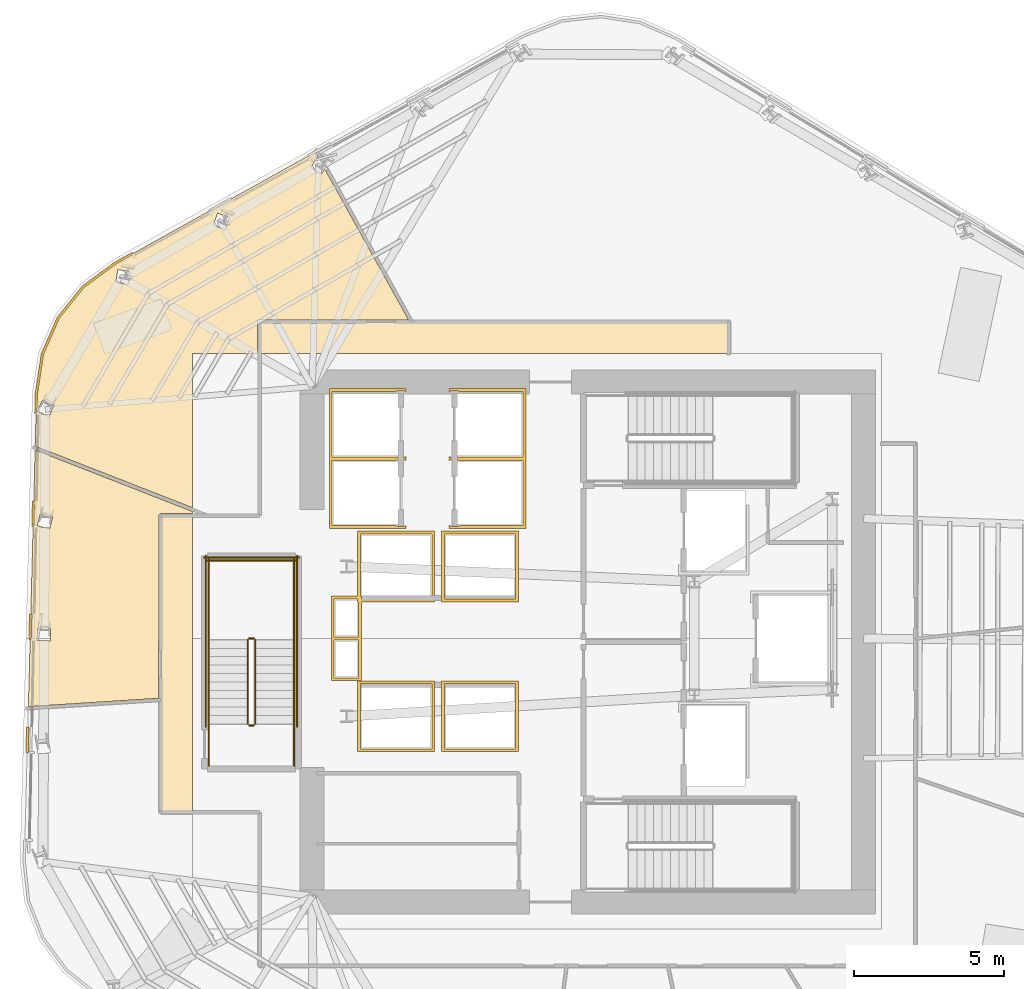
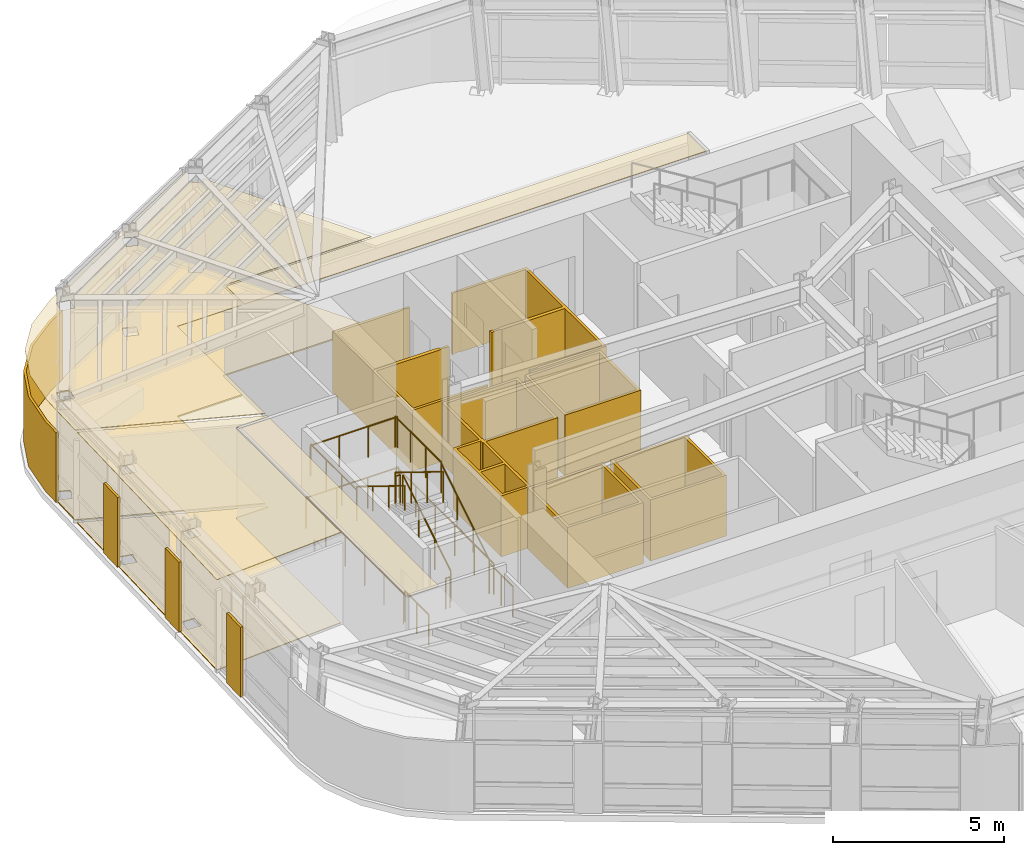
# One storey, part 11 of 14: 16 coverings, 14 railings.
"""IFC4 building model written with IfcOpenShell, lengths in metres."""

import ifcopenshell
import ifcopenshell.guid

model = None  # the IFC model being written
_history = None  # IfcOwnerHistory: only IFC2X3 demands one
_inside = {}  # id of a spatial element -> (the spatial element, [elements in it])
_under = {}  # id of a project, library or spatial element -> (it, [spatial elements below it])
_declared = {}  # id of a project -> (the project, [libraries it declares])
_typed = {}  # id of a type object -> (the type object, [elements of that type])
_made_of = {}  # id of a material, layer set ... -> (it, [elements and type objects made of it])


def new_model(schema):
    """Start an empty IFC model of exactly this schema.

    Asked for "IFC4X3", IfcOpenShell would pick the latest addendum, in which some entities
    have other attributes; the version numbers below select the first issue.
    IFC2X3 requires an IfcOwnerHistory on every rooted entity: one is made here for all.
    """
    global model, _history
    if schema == "IFC4X3":
        model = ifcopenshell.file(schema_version=(4, 3, 0, 0))
    else:
        model = ifcopenshell.file(schema=schema)
    _inside.clear()
    _under.clear()
    _declared.clear()
    _typed.clear()
    _made_of.clear()
    _history = None
    if model.schema == "IFC2X3":
        org = make("IfcOrganization", Name="unknown")
        user = make(
            "IfcPersonAndOrganization",
            ThePerson=make("IfcPerson", FamilyName="unknown"),
            TheOrganization=org,
        )
        app = make(
            "IfcApplication",
            ApplicationDeveloper=org,
            Version="unknown",
            ApplicationFullName="unknown",
            ApplicationIdentifier="unknown",
        )
        _history = make(
            "IfcOwnerHistory",
            OwningUser=user,
            OwningApplication=app,
            ChangeAction="ADDED",
            CreationDate=0,
        )
    return model


def make(cls, **values):
    """One entity of the class cls with the attributes given. An attribute that is None is left unset."""
    return model.create_entity(
        cls, **{name: value for name, value in values.items() if value is not None}
    )


def rooted(cls, **values):
    """An entity with a GlobalId (a new one), such as an element, a storey or a relation."""
    return make(cls, GlobalId=ifcopenshell.guid.new(), OwnerHistory=_history, **values)


def si_unit(unit_type, name, prefix=None):
    """IfcSIUnit, for example si_unit("LENGTHUNIT", "METRE", prefix="MILLI")."""
    return make("IfcSIUnit", UnitType=unit_type, Prefix=prefix, Name=name)


def assignment(units):
    """IfcUnitAssignment: the units of a project."""
    return None if units is None else make("IfcUnitAssignment", Units=units)


def point(xyz):
    """IfcCartesianPoint."""
    return None if xyz is None else make("IfcCartesianPoint", Coordinates=xyz)


def direction(xyz):
    """IfcDirection."""
    return None if xyz is None else make("IfcDirection", DirectionRatios=xyz)


def frame(location, z_axis=None, x_axis=None):
    """IfcAxis2Placement3D, a coordinate frame: its origin and axes. An axis left out is left unset."""
    return make(
        "IfcAxis2Placement3D",
        Location=point(location),
        Axis=direction(z_axis),
        RefDirection=direction(x_axis),
    )


def frame_2d(location, x_axis=None):
    """IfcAxis2Placement2D, a coordinate frame in the plane: its origin and x axis."""
    return make(
        "IfcAxis2Placement2D", Location=point(location), RefDirection=direction(x_axis)
    )


def origin():
    """The frame at (0, 0, 0) with its axes left unset."""
    return frame((0.0, 0.0, 0.0))


def origin_2d():
    """The frame at (0, 0) in the plane with its x axis left unset."""
    return frame_2d((0.0, 0.0))


def place(relative_to, where):
    """IfcLocalPlacement: puts the frame where relative to a parent placement (None: the world)."""
    return make(
        "IfcLocalPlacement", PlacementRelTo=relative_to, RelativePlacement=where
    )


def context(
    kind, dimensions, precision=None, world=None, true_north=None, identifier=None
):
    """IfcGeometricRepresentationContext, for example the 3D "Model" context."""
    return make(
        "IfcGeometricRepresentationContext",
        ContextIdentifier=identifier,
        ContextType=kind,
        CoordinateSpaceDimension=dimensions,
        Precision=precision,
        WorldCoordinateSystem=world,
        TrueNorth=true_north,
    )


def subcontext(parent, identifier, kind, view, scale=None):
    """IfcGeometricRepresentationSubContext, for example "Body" below "Model"."""
    return make(
        "IfcGeometricRepresentationSubContext",
        ContextIdentifier=identifier,
        ContextType=kind,
        ParentContext=parent,
        TargetScale=scale,
        TargetView=view,
    )


def project(units=None, contexts=None):
    """IfcProject with its units and contexts."""
    return rooted(
        "IfcProject",
        Name="project",
        RepresentationContexts=contexts,
        UnitsInContext=assignment(units),
    )


def spatial(cls, under=None, at=None, **own):
    """A site, building, storey or space (cls), placed at a placement, below another one or the project."""
    s = rooted(cls, ObjectPlacement=at, **own)
    if under is not None:
        _under.setdefault(under.id(), (under, []))[1].append(s)
    return s


def polyline(points):
    """IfcPolyline through the points."""
    return make("IfcPolyline", Points=[point(p) for p in points])


def profile(cls, at=None, kind="AREA", **sizes):
    """A parametric profile (cls). Its sizes go by their IFC names, for example OverallWidth=200.0."""
    return make(cls, ProfileType=kind, Position=at, **sizes)


def circle(**sizes):
    """IfcCircleProfileDef."""
    return profile("IfcCircleProfileDef", **sizes)


def outline(outer, holes=None, kind="AREA"):
    """IfcArbitraryClosedProfileDef: a profile drawn as a closed curve; with holes, ...WithVoids."""
    if holes is None:
        return make("IfcArbitraryClosedProfileDef", ProfileType=kind, OuterCurve=outer)
    return make(
        "IfcArbitraryProfileDefWithVoids",
        ProfileType=kind,
        OuterCurve=outer,
        InnerCurves=holes,
    )


def extrude(swept, where, along, depth):
    """IfcExtrudedAreaSolid: the profile swept, set in the frame where, extruded along a direction by depth."""
    return make(
        "IfcExtrudedAreaSolid",
        SweptArea=swept,
        Position=where,
        ExtrudedDirection=direction(along),
        Depth=depth,
    )


def shape(context_of_items, identifier, shape_type, items):
    """IfcShapeRepresentation: the items that make up one representation, for example the "Body"."""
    return make(
        "IfcShapeRepresentation",
        ContextOfItems=context_of_items,
        RepresentationIdentifier=identifier,
        RepresentationType=shape_type,
        Items=items,
    )


def material(Name=None, Category=None):
    """IfcMaterial."""
    return make("IfcMaterial", Name=Name, Category=Category)


def layer(
    of_material, thickness, ventilated=None, Name=None, Category=None, Priority=None
):
    """IfcMaterialLayer: one layer of a wall or slab, of a material (None: an air gap)."""
    return make(
        "IfcMaterialLayer",
        Material=of_material,
        LayerThickness=thickness,
        IsVentilated=ventilated,
        Name=Name,
        Category=Category,
        Priority=Priority,
    )


def layer_set(layers, Name=None):
    """IfcMaterialLayerSet."""
    return make("IfcMaterialLayerSet", MaterialLayers=layers, LayerSetName=Name)


def made_of(thing, what):
    """Note that an element or type object is made of a material, layer set ...; save() writes the relation."""
    if what is not None:
        _made_of.setdefault(what.id(), (what, []))[1].append(thing)
    return thing


def type_object(cls, material=None, **own):
    """A type object (cls), such as IfcWallType, which elements share."""
    return made_of(rooted(cls, **own), material)


def element(
    cls,
    number,
    at=None,
    inside=None,
    cuts=None,
    type_object=None,
    material=None,
    context=None,
    identifier="Body",
    shape_type=None,
    held_by="IfcProductDefinitionShape",
    body=None,
    shapes=None,
    **own,
):
    """One element of the class cls, such as IfcWall. Its Tag is "e" and its number.

    at: its placement. inside: the storey or other place that contains it. cuts: it is an
    opening in that element (IfcRelVoidsElement). A single representation is given by context,
    identifier, shape_type and body (its items); several are given by shapes. held_by: the class
    of the entity that holds the representations. save() writes the other relations.
    """
    e = rooted(cls, Tag="e%d" % number, ObjectPlacement=at, **own)
    if body is not None:
        shapes = [shape(context, identifier, shape_type, body)]
    if shapes is not None:
        e.Representation = make(held_by, Representations=shapes)
    if inside is not None:
        _inside.setdefault(inside.id(), (inside, []))[1].append(e)
    if cuts is not None:
        rooted(
            "IfcRelVoidsElement", RelatingBuildingElement=cuts, RelatedOpeningElement=e
        )
    if type_object is not None:
        _typed.setdefault(type_object.id(), (type_object, []))[1].append(e)
    return made_of(e, material)


def aggregate(whole, parts):
    """IfcRelAggregates: a whole, such as a stair, and the parts it consists of."""
    return rooted("IfcRelAggregates", RelatingObject=whole, RelatedObjects=parts)


def save(model, path):
    """Write the relations noted so far, then the file.

    IfcRelAggregates (storeys below a building ...), IfcRelContainedInSpatialStructure (elements
    in a storey), IfcRelDefinesByType, IfcRelAssociatesMaterial and IfcRelDeclares: one each for
    every whole, place, type object, material and project.
    """
    for whole, parts in _under.values():
        aggregate(whole, parts)
    for where, things in _inside.values():
        rooted(
            "IfcRelContainedInSpatialStructure",
            RelatedElements=things,
            RelatingStructure=where,
        )
    for kind, things in _typed.values():
        rooted("IfcRelDefinesByType", RelatedObjects=things, RelatingType=kind)
    for what, things in _made_of.values():
        rooted("IfcRelAssociatesMaterial", RelatedObjects=things, RelatingMaterial=what)
    for by, libraries in _declared.values():
        rooted("IfcRelDeclares", RelatingContext=by, RelatedDefinitions=libraries)
    model.write(path)


model = new_model("IFC4")

# Units and contexts
model_context = context("Model", 3, precision=1e-05, world=origin(), true_north=direction((0.0, 1.0)))
body_context = subcontext(model_context, "Body", "Model", "MODEL_VIEW")
ifc_project = project(units=[si_unit("LENGTHUNIT", "METRE"), si_unit("AREAUNIT", "SQUARE_METRE"), si_unit("VOLUMEUNIT", "CUBIC_METRE"), si_unit("PLANEANGLEUNIT", "RADIAN"), si_unit("MASSUNIT", "GRAM", prefix="KILO")], contexts=[model_context])

# Site, building, storey
site_placement = place(None, origin())
site = spatial("IfcSite", under=ifc_project, at=site_placement, CompositionType="ELEMENT")
building_placement = place(site_placement, origin())
building = spatial("IfcBuilding", under=site, at=building_placement, Name="Valkerne Bourse Tower", CompositionType="ELEMENT")
storey_placement = place(building_placement, frame((0.0, 0.0, 147.60009765625)))
storey = spatial("IfcBuildingStorey", under=building, at=storey_placement, Name="L37", CompositionType="ELEMENT", Elevation=147.60009765625)

# Coverings
ifc_material_1 = material(Name="Mineral Fiber Acoustic Ceiling Tile", Category="acoustic")
ifc_layer_1 = layer(ifc_material_1, 0.02490234375)
ifc_layer_set_1 = layer_set([ifc_layer_1], Name="Mineral Fiber Acoustic Ceiling Tile")
covering_type_1 = type_object("IfcCoveringType", Name="COV-CEIL-ACT", PredefinedType="CEILING", material=ifc_layer_set_1)
covering_1_placement = place(storey_placement, frame((0.0, 0.0, 3.22998046875)))
element("IfcCovering", 1, at=covering_1_placement, inside=storey, type_object=covering_type_1, Name="L37 Suspended Ceiling 05", PredefinedType="CEILING", context=body_context, shape_type="SweptSolid", body=[
    extrude(outline(polyline([(32.546630859375, 31.1689453125), (32.50830078125, 31.1552734375), (32.48291015625, 31.116455078125), (32.48095703125, 25.003662109375), (28.132080078125, 24.72509765625), (28.355712890625, 33.288330078125), (33.60009765625, 31.236328125), (33.60009765625, 31.1689453125), (32.546630859375, 31.1689453125)]), holes=[polyline([(28.876708984375, 27.3369140625), (28.452392578125, 27.351318359375), (28.4384765625, 26.9384765625), (28.438232421875, 26.935791015625), (28.86279296875, 26.92138671875), (28.876708984375, 27.334228515625), (28.876708984375, 27.3369140625)]), polyline([(28.94091796875, 31.056396484375), (28.94140625, 31.05908203125), (28.52880859375, 31.159423828125), (28.43115234375, 30.7578125), (28.430419921875, 30.75537109375), (28.843017578125, 30.65478515625), (28.94091796875, 31.056396484375)])]), origin(), (0.0, 0.0, 1.0), 0.02490234375),
])
covering_2_placement = place(storey_placement, frame((0.0, 0.0, 3.22998046875)))
element("IfcCovering", 2, at=covering_2_placement, inside=storey, type_object=covering_type_1, Name="L37 Suspended Ceiling 09", PredefinedType="CEILING", context=body_context, shape_type="SweptSolid", body=[
    extrude(outline(polyline([(29.136474609375, 37.697509765625), (29.96142578125, 38.727294921875), (31.032958984375, 39.514404296875), (37.7041015625, 43.226806640625), (37.794921875, 43.063720703125), (37.784423828125, 43.0703125), (37.781982421875, 43.069091796875), (37.558349609375, 42.709228515625), (37.909423828125, 42.48974609375), (37.91162109375, 42.490966796875), (38.01806640625, 42.662109375), (40.814697265625, 37.62890625), (35.849609375, 37.62890625), (35.820068359375, 37.622314453125), (35.794677734375, 37.6015625), (35.781005859375, 37.560791015625), (35.781005859375, 36.5), (33.60009765625, 36.5), (33.60009765625, 31.363037109375), (28.35888671875, 33.413818359375), (28.405029296875, 35.175048828125), (28.606201171875, 36.4892578125), (29.136474609375, 37.697509765625)]), holes=[polyline([(28.99365234375, 34.779052734375), (28.607421875, 34.955322265625), (28.435791015625, 34.57958984375), (28.434814453125, 34.576904296875), (28.821044921875, 34.400634765625), (28.992431640625, 34.776611328125), (28.99365234375, 34.779052734375)]), polyline([(31.526611328125, 39.234375), (31.1181640625, 39.30224609375), (31.1162109375, 39.300048828125), (31.048095703125, 38.882080078125), (31.456298828125, 38.814208984375), (31.458251953125, 38.81640625), (31.526611328125, 39.234375)]), polyline([(34.835205078125, 41.047119140625), (34.44677734375, 41.190673828125), (34.44482421875, 41.18896484375), (34.298828125, 40.791015625), (34.687255859375, 40.647705078125), (34.689453125, 40.6494140625), (34.835205078125, 41.047119140625)])]), origin(), (0.0, 0.0, 1.0), 0.02490234375),
])
ifc_material_2 = material(Name="Bronze Anodised Aluminium AA 6063-T6", Category="aluminium")
ifc_layer_2 = layer(ifc_material_2, 0.030029296875)
ifc_layer_set_2 = layer_set([ifc_layer_2], Name="Bronze Anodised Aluminium AA 6063-T6")
covering_type_2 = type_object("IfcCoveringType", Name="COV-CEIL-METAL", PredefinedType="CEILING", material=ifc_layer_set_2)
covering_3_placement = place(storey_placement, frame((0.0, 0.0, 3.22998046875)))
element("IfcCovering", 3, at=covering_3_placement, inside=storey, type_object=covering_type_2, Name="L37 Suspended Ceiling 02", PredefinedType="CEILING", context=body_context, shape_type="SweptSolid", body=[
    extrude(outline(polyline([(32.553955078125, 21.2041015625), (32.553955078125, 31.095947265625), (33.60009765625, 31.095947265625), (33.60009765625, 21.2041015625), (32.553955078125, 21.2041015625)])), origin(), (0.0, 0.0, 1.0), 0.02490234375),
])
covering_4_placement = place(storey_placement, frame((0.0, 0.0, 3.22998046875)))
element("IfcCovering", 4, at=covering_4_placement, inside=storey, type_object=covering_type_2, Name="L37 Suspended Ceiling 03", PredefinedType="CEILING", context=body_context, shape_type="SweptSolid", body=[
    extrude(outline(polyline([(35.85400390625, 37.555908203125), (51.49609375, 37.555908203125), (51.49609375, 36.5), (35.85400390625, 36.5), (35.85400390625, 37.555908203125)])), origin(), (0.0, 0.0, 1.0), 0.02490234375),
])
ifc_layer_3 = layer(ifc_material_2, 0.06005859375)
ifc_layer_set_3 = layer_set([ifc_layer_3], Name="Bronze Anodised Aluminium AA 6063-T6")
covering_type_3 = type_object("IfcCoveringType", Name="COV-CRN-ALUM", PredefinedType="CLADDING", material=ifc_layer_set_3)
covering_5_placement = place(storey_placement, origin())
element("IfcCovering", 5, at=covering_5_placement, inside=storey, type_object=covering_type_3, Name="L37 Wind-Shaped Corner Aluminium Cladding 10", PredefinedType="CLADDING", context=body_context, shape_type="SweptSolid", body=[
    extrude(outline(polyline([(28.0703125, 24.04052734375), (28.150146484375, 24.038818359375), (28.12841796875, 23.19921875), (28.04833984375, 23.200927734375), (28.0703125, 24.04052734375)])), origin(), (0.0, 0.0, 1.0), 2.5),
])
covering_6_placement = place(storey_placement, origin())
element("IfcCovering", 6, at=covering_6_placement, inside=storey, type_object=covering_type_3, Name="L37 Wind-Shaped Corner Aluminium Cladding 11", PredefinedType="CLADDING", context=body_context, shape_type="SweptSolid", body=[
    extrude(outline(polyline([(28.168701171875, 27.810302734375), (28.24853515625, 27.80859375), (28.226806640625, 26.968994140625), (28.146728515625, 26.970703125), (28.168701171875, 27.810302734375)])), origin(), (0.0, 0.0, 1.0), 2.5),
])
covering_7_placement = place(storey_placement, origin())
element("IfcCovering", 7, at=covering_7_placement, inside=storey, type_object=covering_type_3, Name="L37 Wind-Shaped Corner Aluminium Cladding 12", PredefinedType="CLADDING", context=body_context, shape_type="SweptSolid", body=[
    extrude(outline(polyline([(28.26708984375, 31.580078125), (28.34716796875, 31.578369140625), (28.3251953125, 30.73876953125), (28.2451171875, 30.740478515625), (28.26708984375, 31.580078125)])), origin(), (0.0, 0.0, 1.0), 2.5),
])
covering_8_placement = place(storey_placement, origin())
element("IfcCovering", 8, at=covering_8_placement, inside=storey, type_object=covering_type_3, Name="L37 Wind-Shaped Corner Aluminium Cladding 13", PredefinedType="CLADDING", context=body_context, shape_type="SweptSolid", body=[
    extrude(outline(polyline([(28.361083984375, 35.178955078125), (28.5634765625, 36.501708984375), (29.098388671875, 37.720458984375), (29.930908203125, 38.75927734375), (31.009033203125, 39.551513671875), (31.59375, 39.876708984375), (31.632080078125, 39.806640625), (31.052490234375, 39.48388671875), (29.98681640625, 38.701171875), (29.16748046875, 37.6787109375), (28.640869140625, 36.47900390625), (28.44091796875, 35.171875), (28.423583984375, 34.508544921875), (28.343505859375, 34.510009765625), (28.361083984375, 35.178955078125)])), origin(), (0.0, 0.0, 1.0), 2.5),
])
ifc_material_3 = material(Name="Galvanised Painted Steel", Category="steel")
ifc_layer_4 = layer(ifc_material_3, 0.044921875)
ifc_layer_set_4 = layer_set([ifc_layer_4], Name="Galvanised Painted Steel")
covering_type_4 = type_object("IfcCoveringType", Name="COV-FLR-RAF", PredefinedType="FLOORING", material=ifc_layer_set_4)
covering_9_placement = place(storey_placement, origin())
element("IfcCovering", 9, at=covering_9_placement, inside=storey, type_object=covering_type_4, Name="L37 Floor Finish 09", PredefinedType="FLOORING", context=body_context, shape_type="SweptSolid", body=[
    extrude(outline(polyline([(29.136474609375, 37.697509765625), (29.96142578125, 38.727294921875), (31.032958984375, 39.514404296875), (37.7041015625, 43.226806640625), (37.794921875, 43.063720703125), (37.784423828125, 43.0703125), (37.781982421875, 43.069091796875), (37.558349609375, 42.709228515625), (37.909423828125, 42.48974609375), (37.91162109375, 42.490966796875), (38.01806640625, 42.662109375), (40.814697265625, 37.62890625), (35.849609375, 37.62890625), (35.820068359375, 37.622314453125), (35.794677734375, 37.6015625), (35.781005859375, 37.560791015625), (35.781005859375, 36.5), (33.60009765625, 36.5), (33.60009765625, 31.363037109375), (28.35888671875, 33.413818359375), (28.405029296875, 35.175048828125), (28.606201171875, 36.4892578125), (29.136474609375, 37.697509765625)]), holes=[polyline([(28.99365234375, 34.779052734375), (28.607421875, 34.955322265625), (28.435791015625, 34.57958984375), (28.434814453125, 34.576904296875), (28.821044921875, 34.400634765625), (28.992431640625, 34.776611328125), (28.99365234375, 34.779052734375)]), polyline([(31.526611328125, 39.234375), (31.1181640625, 39.30224609375), (31.1162109375, 39.300048828125), (31.048095703125, 38.882080078125), (31.456298828125, 38.814208984375), (31.458251953125, 38.81640625), (31.526611328125, 39.234375)]), polyline([(34.835205078125, 41.047119140625), (34.44677734375, 41.190673828125), (34.44482421875, 41.18896484375), (34.298828125, 40.791015625), (34.687255859375, 40.647705078125), (34.689453125, 40.6494140625), (34.835205078125, 41.047119140625)])]), origin(), (0.0, 0.0, 1.0), 0.044921875),
])
ifc_material_4 = material(Name="Polished Granite Stone", Category="masonry")
ifc_layer_5 = layer(ifc_material_4, 0.030029296875)
ifc_layer_set_5 = layer_set([ifc_layer_5], Name="Polished Granite Stone")
covering_type_5 = type_object("IfcCoveringType", Name="COV-FLR-TERRAZZO", PredefinedType="FLOORING", material=ifc_layer_set_5)
covering_10_placement = place(storey_placement, origin())
element("IfcCovering", 10, at=covering_10_placement, inside=storey, type_object=covering_type_5, Name="L37 Floor Finish 05", PredefinedType="FLOORING", context=body_context, shape_type="SweptSolid", body=[
    extrude(outline(polyline([(32.546630859375, 31.1689453125), (32.50830078125, 31.1552734375), (32.48291015625, 31.116455078125), (32.48095703125, 25.003662109375), (28.132080078125, 24.72509765625), (28.355712890625, 33.288330078125), (33.60009765625, 31.236328125), (33.60009765625, 31.1689453125), (32.546630859375, 31.1689453125)]), holes=[polyline([(28.876708984375, 27.3369140625), (28.452392578125, 27.351318359375), (28.4384765625, 26.9384765625), (28.438232421875, 26.935791015625), (28.86279296875, 26.92138671875), (28.876708984375, 27.334228515625), (28.876708984375, 27.3369140625)]), polyline([(28.94091796875, 31.056396484375), (28.94140625, 31.05908203125), (28.52880859375, 31.159423828125), (28.43115234375, 30.7578125), (28.430419921875, 30.75537109375), (28.843017578125, 30.65478515625), (28.94091796875, 31.056396484375)])]), origin(), (0.0, 0.0, 1.0), 0.02978515625),
])
ifc_material_5 = material(Name="Gypsum Shaftwall Liner Board", Category="gypsum")
ifc_layer_6 = layer(ifc_material_5, 0.080078125)
ifc_layer_set_6 = layer_set([ifc_layer_6], Name="Gypsum Shaftwall Liner Board")
covering_type_6 = type_object("IfcCoveringType", Name="COV-SHF-CLAD", PredefinedType="CLADDING", material=ifc_layer_set_6)
covering_11_placement = place(storey_placement, origin())
element("IfcCovering", 11, at=covering_11_placement, inside=storey, type_object=covering_type_6, Name="L37 Hoistway & Riser Shaftwall Liner 01", PredefinedType="CLADDING", context=body_context, shape_type="SweptSolid", body=[
    extrude(outline(polyline([(41.679931640625, 25.580078125), (41.679931640625, 23.219970703125), (39.1201171875, 23.219970703125), (39.1201171875, 25.580078125), (41.679931640625, 25.580078125)]), holes=[polyline([(41.590087890625, 25.489990234375), (39.2099609375, 25.489990234375), (39.2099609375, 23.31005859375), (41.590087890625, 23.31005859375), (41.590087890625, 25.489990234375)])]), origin(), (0.0, 0.0, 1.0), 2.179931640625),
])
covering_12_placement = place(storey_placement, origin())
element("IfcCovering", 12, at=covering_12_placement, inside=storey, type_object=covering_type_6, Name="L37 Hoistway & Riser Shaftwall Liner 02", PredefinedType="CLADDING", context=body_context, shape_type="SweptSolid", body=[
    extrude(outline(polyline([(44.47998046875, 23.219970703125), (41.919921875, 23.219970703125), (41.919921875, 25.580078125), (44.47998046875, 25.580078125), (44.47998046875, 23.219970703125)]), holes=[polyline([(42.010009765625, 25.489990234375), (42.010009765625, 23.31005859375), (44.389892578125, 23.31005859375), (44.389892578125, 25.489990234375), (42.010009765625, 25.489990234375)])]), origin(), (0.0, 0.0, 1.0), 2.179931640625),
])
covering_13_placement = place(storey_placement, origin())
element("IfcCovering", 13, at=covering_13_placement, inside=storey, type_object=covering_type_6, Name="L37 Hoistway & Riser Shaftwall Liner 03", PredefinedType="CLADDING", context=body_context, shape_type="SweptSolid", body=[
    extrude(outline(polyline([(38.239990234375, 28.409912109375), (39.1201171875, 28.409912109375), (39.1201171875, 30.580078125), (41.679931640625, 30.580078125), (41.679931640625, 28.219970703125), (39.239990234375, 28.219970703125), (39.239990234375, 27.0400390625), (39.239990234375, 26.9599609375), (39.239990234375, 25.590087890625), (38.239990234375, 25.590087890625), (38.239990234375, 26.9599609375), (38.239990234375, 27.0400390625), (38.239990234375, 28.409912109375)]), holes=[polyline([(38.330078125, 26.949951171875), (38.330078125, 25.679931640625), (39.14990234375, 25.679931640625), (39.14990234375, 26.949951171875), (38.330078125, 26.949951171875)]), polyline([(39.2099609375, 30.489990234375), (39.2099609375, 28.409912109375), (39.239990234375, 28.409912109375), (39.239990234375, 28.31005859375), (41.590087890625, 28.31005859375), (41.590087890625, 30.489990234375), (39.2099609375, 30.489990234375)]), polyline([(38.330078125, 27.050048828125), (39.14990234375, 27.050048828125), (39.14990234375, 28.219970703125), (39.1201171875, 28.219970703125), (39.1201171875, 28.320068359375), (38.330078125, 28.320068359375), (38.330078125, 27.050048828125)])]), origin(), (0.0, 0.0, 1.0), 2.179931640625),
])
covering_14_placement = place(storey_placement, origin())
element("IfcCovering", 14, at=covering_14_placement, inside=storey, type_object=covering_type_6, Name="L37 Hoistway & Riser Shaftwall Liner 04", PredefinedType="CLADDING", context=body_context, shape_type="SweptSolid", body=[
    extrude(outline(polyline([(38.169921875, 35.330078125), (40.72998046875, 35.330078125), (40.72998046875, 35.232177734375), (40.72216796875, 35.235595703125), (40.6806640625, 35.25048828125), (40.6376953125, 35.261474609375), (40.593994140625, 35.267822265625), (40.550048828125, 35.27001953125), (40.505859375, 35.267822265625), (40.462158203125, 35.261474609375), (40.41943359375, 35.25048828125), (40.3896484375, 35.239990234375), (38.260009765625, 35.239990234375), (38.260009765625, 33.06005859375), (40.3896484375, 33.06005859375), (40.41943359375, 33.04931640625), (40.462158203125, 33.03857421875), (40.505859375, 33.0322265625), (40.550048828125, 33.030029296875), (40.593994140625, 33.0322265625), (40.6376953125, 33.03857421875), (40.6806640625, 33.04931640625), (40.72216796875, 33.064208984375), (40.72998046875, 33.06787109375), (40.72998046875, 33.030029296875), (40.72998046875, 32.969970703125), (40.72998046875, 32.93212890625), (40.72216796875, 32.935791015625), (40.6806640625, 32.95068359375), (40.6376953125, 32.96142578125), (40.593994140625, 32.9677734375), (40.550048828125, 32.969970703125), (40.505859375, 32.9677734375), (40.462158203125, 32.96142578125), (40.41943359375, 32.95068359375), (40.3896484375, 32.93994140625), (38.260009765625, 32.93994140625), (38.260009765625, 30.760009765625), (40.3896484375, 30.760009765625), (40.41943359375, 30.74951171875), (40.462158203125, 30.738525390625), (40.505859375, 30.732177734375), (40.550048828125, 30.72998046875), (40.593994140625, 30.732177734375), (40.6376953125, 30.738525390625), (40.6806640625, 30.74951171875), (40.72216796875, 30.764404296875), (40.72998046875, 30.767822265625), (40.72998046875, 30.669921875), (38.169921875, 30.669921875), (38.169921875, 32.969970703125), (38.169921875, 33.030029296875), (38.169921875, 35.330078125)])), origin(), (0.0, 0.0, 1.0), 2.179931640625),
])
covering_15_placement = place(storey_placement, origin())
element("IfcCovering", 15, at=covering_15_placement, inside=storey, type_object=covering_type_6, Name="L37 Hoistway & Riser Shaftwall Liner 07", PredefinedType="CLADDING", context=body_context, shape_type="SweptSolid", body=[
    extrude(outline(polyline([(44.47998046875, 28.219970703125), (41.919921875, 28.219970703125), (41.919921875, 30.580078125), (44.47998046875, 30.580078125), (44.47998046875, 28.219970703125)]), holes=[polyline([(42.010009765625, 30.489990234375), (42.010009765625, 28.31005859375), (44.389892578125, 28.31005859375), (44.389892578125, 30.489990234375), (42.010009765625, 30.489990234375)])]), origin(), (0.0, 0.0, 1.0), 2.179931640625),
])
covering_16_placement = place(storey_placement, origin())
element("IfcCovering", 16, at=covering_16_placement, inside=storey, type_object=covering_type_6, Name="L37 Hoistway & Riser Shaftwall Liner 09", PredefinedType="CLADDING", context=body_context, shape_type="SweptSolid", body=[
    extrude(outline(polyline([(42.169921875, 33.06787109375), (42.177734375, 33.064208984375), (42.219482421875, 33.04931640625), (42.26220703125, 33.03857421875), (42.305908203125, 33.0322265625), (42.35009765625, 33.030029296875), (42.39404296875, 33.0322265625), (42.437744140625, 33.03857421875), (42.480712890625, 33.04931640625), (42.51025390625, 33.06005859375), (44.639892578125, 33.06005859375), (44.639892578125, 35.239990234375), (42.51025390625, 35.239990234375), (42.480712890625, 35.25048828125), (42.437744140625, 35.261474609375), (42.39404296875, 35.267822265625), (42.35009765625, 35.27001953125), (42.305908203125, 35.267822265625), (42.26220703125, 35.261474609375), (42.219482421875, 35.25048828125), (42.177734375, 35.235595703125), (42.169921875, 35.232177734375), (42.169921875, 35.330078125), (44.72998046875, 35.330078125), (44.72998046875, 33.030029296875), (44.72998046875, 32.969970703125), (44.72998046875, 30.669921875), (42.169921875, 30.669921875), (42.169921875, 30.767822265625), (42.177734375, 30.764404296875), (42.219482421875, 30.74951171875), (42.26220703125, 30.738525390625), (42.305908203125, 30.732177734375), (42.35009765625, 30.72998046875), (42.39404296875, 30.732177734375), (42.437744140625, 30.738525390625), (42.480712890625, 30.74951171875), (42.51025390625, 30.760009765625), (44.639892578125, 30.760009765625), (44.639892578125, 32.93994140625), (42.51025390625, 32.93994140625), (42.480712890625, 32.95068359375), (42.437744140625, 32.96142578125), (42.39404296875, 32.9677734375), (42.35009765625, 32.969970703125), (42.305908203125, 32.9677734375), (42.26220703125, 32.96142578125), (42.219482421875, 32.95068359375), (42.177734375, 32.935791015625), (42.169921875, 32.93212890625), (42.169921875, 32.969970703125), (42.169921875, 33.030029296875), (42.169921875, 33.06787109375)])), origin(), (0.0, 0.0, 1.0), 2.179931640625),
])

# Railings
railing_type_1 = type_object("IfcRailingType", Name="RLG-ST-GUARD-1120", PredefinedType="GUARDRAIL", material=ifc_material_3)
railing_1_placement = place(storey_placement, frame((35.699951171875, 24.14990234375, 0.172607421875)))
element("IfcRailing", 17, at=railing_1_placement, inside=storey, type_object=railing_type_1, Name="L37 ST-3 stair guard 1", PredefinedType="GUARDRAIL", context=body_context, shape_type="SweptSolid", body=[
    extrude(circle(Radius=0.02392578125, at=origin_2d()), frame((0.0, 0.0, 1.09619140625), z_axis=(0.0, 0.851089632645, 0.525020415988), x_axis=(-1.0, 0.0, 0.0)), (0.0, 0.0, 1.0), 3.2900390625),
    extrude(circle(Radius=0.02099609375, at=origin_2d()), origin(), (0.0, 0.0, 1.0), 1.072021484375),
    extrude(circle(Radius=0.02099609375, at=origin_2d()), frame((0.0, 0.933349609375, 0.57568359375)), (0.0, 0.0, 1.0), 1.072021484375),
    extrude(circle(Radius=0.02099609375, at=origin_2d()), frame((0.0, 1.86669921875, 1.151611328125)), (0.0, 0.0, 1.0), 1.072021484375),
    extrude(circle(Radius=0.02099609375, at=origin_2d()), frame((0.0, 2.800048828125, 1.727294921875)), (0.0, 0.0, 1.0), 1.072021484375),
])
railing_2_placement = place(storey_placement, frame((35.64990234375, 27.0, 1.89990234375)))
element("IfcRailing", 18, at=railing_2_placement, inside=storey, type_object=railing_type_1, Name="L37 ST-3 stair guard 2", PredefinedType="GUARDRAIL", context=body_context, shape_type="SweptSolid", body=[
    extrude(circle(Radius=0.02392578125, at=origin_2d()), frame((0.0, 0.0, 1.09619140625), z_axis=(-1.0, 0.0, 0.0), x_axis=(0.0, -1.0, 0.0)), (0.0, 0.0, 1.0), 0.14990234375),
    extrude(circle(Radius=0.02099609375, at=origin_2d()), origin(), (0.0, 0.0, 1.0), 1.072021484375),
    extrude(circle(Radius=0.02099609375, at=origin_2d()), frame((-0.14990234375, 0.0, 0.0)), (0.0, 0.0, 1.0), 1.072021484375),
])
for number, where, name in (
    (19, (37.0, 26.949951171875, 1.89990234375), "L37 ST-3 stair guard 3"),
    (20, (34.14990234375, 26.949951171875, 1.89990234375), "L37 ST-3 stair guard 4"),
):
    element("IfcRailing", number, at=place(storey_placement, frame(where)), inside=storey, type_object=railing_type_1, Name=name, PredefinedType="GUARDRAIL", context=body_context, shape_type="SweptSolid", body=[
        extrude(circle(Radius=0.02392578125, at=origin_2d()), frame((0.0, 0.0, 1.09619140625), z_axis=(0.0, 1.0, 0.0), x_axis=(-1.0, 0.0, 0.0)), (0.0, 0.0, 1.0), 2.699951171875),
        extrude(circle(Radius=0.02099609375, at=origin_2d()), origin(), (0.0, 0.0, 1.0), 1.072021484375),
        extrude(circle(Radius=0.02099609375, at=origin_2d()), frame((0.0, 0.89990234375, 0.0)), (0.0, 0.0, 1.0), 1.072021484375),
        extrude(circle(Radius=0.02099609375, at=origin_2d()), frame((0.0, 1.800048828125, 0.0)), (0.0, 0.0, 1.0), 1.072021484375),
        extrude(circle(Radius=0.02099609375, at=origin_2d()), frame((0.0, 2.699951171875, 0.0)), (0.0, 0.0, 1.0), 1.072021484375),
    ])
railing_3_placement = place(storey_placement, frame((37.050048828125, 29.60009765625, 1.89990234375)))
element("IfcRailing", 21, at=railing_3_placement, inside=storey, type_object=railing_type_1, Name="L37 ST-3 stair guard 5", PredefinedType="GUARDRAIL", context=body_context, shape_type="SweptSolid", body=[
    extrude(circle(Radius=0.02392578125, at=origin_2d()), frame((0.0, 0.0, 1.09619140625), z_axis=(-1.0, 0.0, 0.0), x_axis=(0.0, -1.0, 0.0)), (0.0, 0.0, 1.0), 2.949951171875),
    extrude(circle(Radius=0.02099609375, at=origin_2d()), origin(), (0.0, 0.0, 1.0), 1.072021484375),
    extrude(circle(Radius=0.02099609375, at=origin_2d()), frame((-0.9833984375, 0.0, 0.0)), (0.0, 0.0, 1.0), 1.072021484375),
    extrude(circle(Radius=0.02099609375, at=origin_2d()), frame((-1.966552734375, 0.0, 0.0)), (0.0, 0.0, 1.0), 1.072021484375),
    extrude(circle(Radius=0.02099609375, at=origin_2d()), frame((-2.949951171875, 0.0, 0.0)), (0.0, 0.0, 1.0), 1.072021484375),
])
railing_4_placement = place(storey_placement, frame((35.449951171875, 26.949951171875, 2.072509765625)))
element("IfcRailing", 22, at=railing_4_placement, inside=storey, type_object=railing_type_1, Name="L37 ST-3 stair guard 6", PredefinedType="GUARDRAIL", context=body_context, shape_type="SweptSolid", body=[
    extrude(circle(Radius=0.02392578125, at=origin_2d()), frame((0.0, 0.0, 1.09619140625), z_axis=(0.0, -0.851089632645, 0.525020415988), x_axis=(1.0, 0.0, 0.0)), (0.0, 0.0, 1.0), 3.2900390625),
    extrude(circle(Radius=0.02099609375, at=origin_2d()), origin(), (0.0, 0.0, 1.0), 1.072021484375),
    extrude(circle(Radius=0.02099609375, at=origin_2d()), frame((0.0, -0.933349609375, 0.57568359375)), (0.0, 0.0, 1.0), 1.072021484375),
    extrude(circle(Radius=0.02099609375, at=origin_2d()), frame((0.0, -1.86669921875, 1.151611328125)), (0.0, 0.0, 1.0), 1.072021484375),
    extrude(circle(Radius=0.02099609375, at=origin_2d()), frame((0.0, -2.800048828125, 1.727294921875)), (0.0, 0.0, 1.0), 1.072021484375),
])
railing_5_placement = place(storey_placement, frame((35.64990234375, 24.10009765625, 0.0)))
element("IfcRailing", 23, at=railing_5_placement, inside=storey, type_object=railing_type_1, Name="L37 ST-3 stair guard 7", PredefinedType="GUARDRAIL", context=body_context, shape_type="SweptSolid", body=[
    extrude(circle(Radius=0.02392578125, at=origin_2d()), frame((0.0, 0.0, 1.09619140625), z_axis=(-1.0, 0.0, 0.0), x_axis=(0.0, -1.0, 0.0)), (0.0, 0.0, 1.0), 0.14990234375),
    extrude(circle(Radius=0.02099609375, at=origin_2d()), origin(), (0.0, 0.0, 1.0), 1.072021484375),
    extrude(circle(Radius=0.02099609375, at=origin_2d()), frame((-0.14990234375, 0.0, 0.0)), (0.0, 0.0, 1.0), 1.072021484375),
])
for number, where, name in (
    (24, (37.0, 22.75, 0.0), "L37 ST-3 stair guard 8"),
    (25, (34.14990234375, 22.75, 0.0), "L37 ST-3 stair guard 9"),
):
    element("IfcRailing", number, at=place(storey_placement, frame(where)), inside=storey, type_object=railing_type_1, Name=name, PredefinedType="GUARDRAIL", context=body_context, shape_type="SweptSolid", body=[
        extrude(circle(Radius=0.02392578125, at=origin_2d()), frame((0.0, 0.0, 1.09619140625), z_axis=(0.0, 1.0, 0.0), x_axis=(-1.0, 0.0, 0.0)), (0.0, 0.0, 1.0), 1.39990234375),
        extrude(circle(Radius=0.02099609375, at=origin_2d()), origin(), (0.0, 0.0, 1.0), 1.072021484375),
        extrude(circle(Radius=0.02099609375, at=origin_2d()), frame((0.0, 0.699951171875, 0.0)), (0.0, 0.0, 1.0), 1.072021484375),
        extrude(circle(Radius=0.02099609375, at=origin_2d()), frame((0.0, 1.39990234375, 0.0)), (0.0, 0.0, 1.0), 1.072021484375),
    ])
for number, where, name in (
    (26, (37.10009765625, 24.050048828125, 0.0), "L37 ST-3 stair guard 10"),
    (27, (34.050048828125, 24.050048828125, 0.0), "L37 ST-3 stair guard 11"),
):
    element("IfcRailing", number, at=place(storey_placement, frame(where)), inside=storey, type_object=railing_type_1, Name=name, PredefinedType="GUARDRAIL", context=body_context, shape_type="SweptSolid", body=[
        extrude(circle(Radius=0.02392578125, at=origin_2d()), frame((0.0, 0.0, 1.09619140625), z_axis=(0.0, 1.0, 0.0), x_axis=(-1.0, 0.0, 0.0)), (0.0, 0.0, 1.0), 5.699951171875),
        extrude(circle(Radius=0.02099609375, at=origin_2d()), origin(), (0.0, 0.0, 1.0), 1.072021484375),
        extrude(circle(Radius=0.02099609375, at=origin_2d()), frame((0.0, 1.139892578125, 0.0)), (0.0, 0.0, 1.0), 1.072021484375),
        extrude(circle(Radius=0.02099609375, at=origin_2d()), frame((0.0, 2.280029296875, 0.0)), (0.0, 0.0, 1.0), 1.072021484375),
        extrude(circle(Radius=0.02099609375, at=origin_2d()), frame((0.0, 3.419921875, 0.0)), (0.0, 0.0, 1.0), 1.072021484375),
        extrude(circle(Radius=0.02099609375, at=origin_2d()), frame((0.0, 4.56005859375, 0.0)), (0.0, 0.0, 1.0), 1.072021484375),
        extrude(circle(Radius=0.02099609375, at=origin_2d()), frame((0.0, 5.699951171875, 0.0)), (0.0, 0.0, 1.0), 1.072021484375),
    ])
railing_6_placement = place(storey_placement, frame((37.14990234375, 29.699951171875, 0.0)))
element("IfcRailing", 28, at=railing_6_placement, inside=storey, type_object=railing_type_1, Name="L37 ST-3 stair guard 12", PredefinedType="GUARDRAIL", context=body_context, shape_type="SweptSolid", body=[
    extrude(circle(Radius=0.02392578125, at=origin_2d()), frame((0.0, 0.0, 1.09619140625), z_axis=(-1.0, 0.0, 0.0), x_axis=(0.0, -1.0, 0.0)), (0.0, 0.0, 1.0), 3.14990234375),
    extrude(circle(Radius=0.02099609375, at=origin_2d()), origin(), (0.0, 0.0, 1.0), 1.072021484375),
    extrude(circle(Radius=0.02099609375, at=origin_2d()), frame((-1.050048828125, 0.0, 0.0)), (0.0, 0.0, 1.0), 1.072021484375),
    extrude(circle(Radius=0.02099609375, at=origin_2d()), frame((-2.099853515625, 0.0, 0.0)), (0.0, 0.0, 1.0), 1.072021484375),
    extrude(circle(Radius=0.02099609375, at=origin_2d()), frame((-3.14990234375, 0.0, 0.0)), (0.0, 0.0, 1.0), 1.072021484375),
])
ifc_material_6 = material(Name="Stainless Steel AISI 316", Category="steel")
railing_type_2 = type_object("IfcRailingType", Name="RLG-ST-HANDRAIL-900", PredefinedType="HANDRAIL", material=ifc_material_6)
railing_7_placement = place(storey_placement, frame((37.0, 24.14990234375, 0.345458984375)))
element("IfcRailing", 29, at=railing_7_placement, inside=storey, type_object=railing_type_2, Name="L37 ST-3 stair handrail 1", PredefinedType="HANDRAIL", context=body_context, shape_type="SweptSolid", body=[
    extrude(circle(Radius=0.02392578125, at=origin_2d()), frame((0.0, 0.0, 0.8759765625), z_axis=(0.0, 0.851122791225, 0.524966660138), x_axis=(-1.0, 0.0, 0.0)), (0.0, 0.0, 1.0), 3.289794921875),
    extrude(circle(Radius=0.02099609375, at=origin_2d()), origin(), (0.0, 0.0, 1.0), 0.851806640625),
    extrude(circle(Radius=0.02099609375, at=origin_2d()), frame((0.0, 0.933349609375, 0.57568359375)), (0.0, 0.0, 1.0), 0.851806640625),
    extrude(circle(Radius=0.02099609375, at=origin_2d()), frame((0.0, 1.86669921875, 1.1513671875)), (0.0, 0.0, 1.0), 0.851806640625),
    extrude(circle(Radius=0.02099609375, at=origin_2d()), frame((0.0, 2.800048828125, 1.72705078125)), (0.0, 0.0, 1.0), 0.851806640625),
])
railing_8_placement = place(storey_placement, frame((34.14990234375, 26.949951171875, 2.245361328125)))
element("IfcRailing", 30, at=railing_8_placement, inside=storey, type_object=railing_type_2, Name="L37 ST-3 stair handrail 2", PredefinedType="HANDRAIL", context=body_context, shape_type="SweptSolid", body=[
    extrude(circle(Radius=0.02392578125, at=origin_2d()), frame((0.0, 0.0, 0.8759765625), z_axis=(0.0, -0.851089632645, 0.525020415988), x_axis=(1.0, 0.0, 0.0)), (0.0, 0.0, 1.0), 3.2900390625),
    extrude(circle(Radius=0.02099609375, at=origin_2d()), origin(), (0.0, 0.0, 1.0), 0.851806640625),
    extrude(circle(Radius=0.02099609375, at=origin_2d()), frame((0.0, -0.933349609375, 0.57568359375)), (0.0, 0.0, 1.0), 0.851806640625),
    extrude(circle(Radius=0.02099609375, at=origin_2d()), frame((0.0, -1.86669921875, 1.151611328125)), (0.0, 0.0, 1.0), 0.851806640625),
    extrude(circle(Radius=0.02099609375, at=origin_2d()), frame((0.0, -2.800048828125, 1.727294921875)), (0.0, 0.0, 1.0), 0.851806640625),
])

save(model, "model.ifc")
